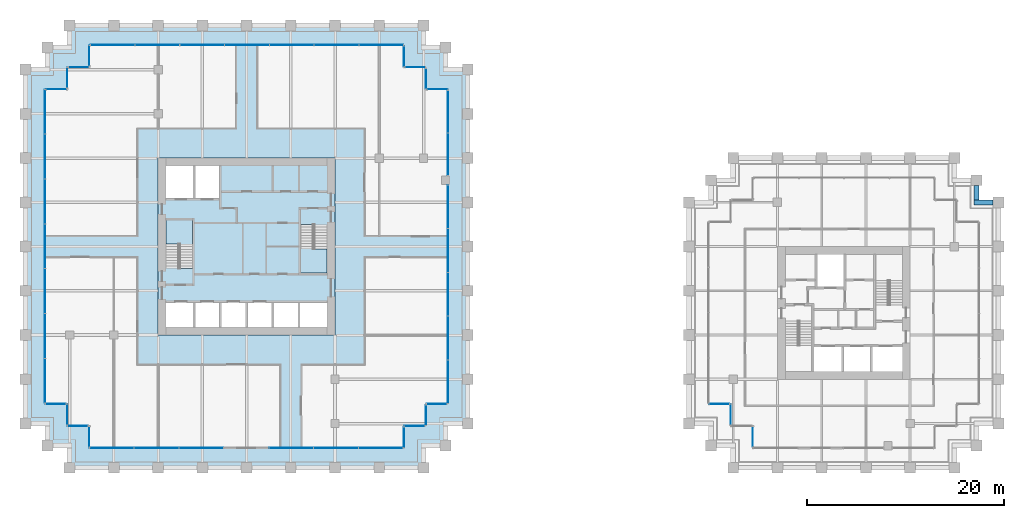
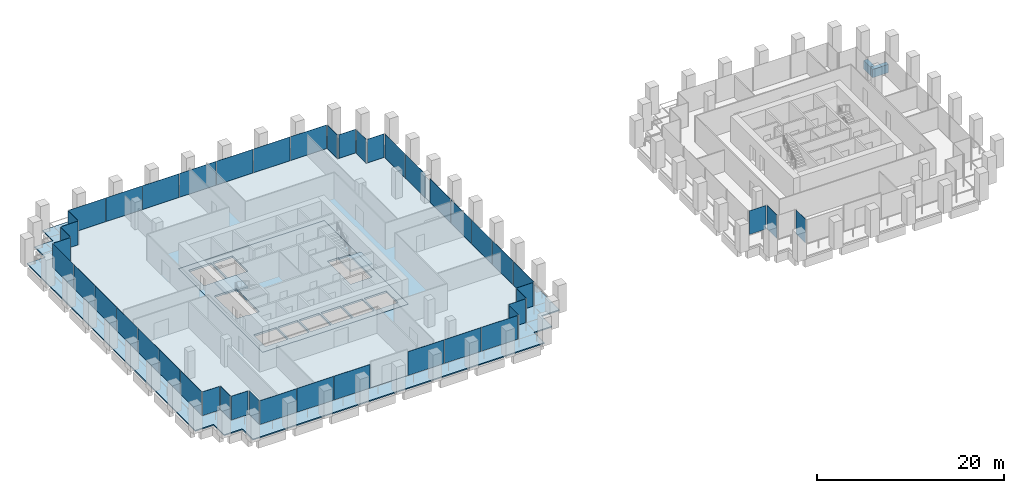
# One storey, part 48 of 54: 46 plates, 5 slabs, 2 beams, 27 elements without a shape of their own.
"""IFC4 building model written with IfcOpenShell, lengths in metres."""

from ifc_helpers import new_model, si_unit, direction, frame, origin, origin_2d, place, context, subcontext, project, spatial, polyline, rectangle, outline, extrude, material, layer, layer_set, material_profile, profile_set, type_object, element, aggregate, save


model = new_model("IFC4")

# Units and contexts
model_context = context("Model", 3, precision=1e-05, world=origin(), true_north=direction((0.0, 1.0)))
body_context = subcontext(model_context, "Body", "Model", "MODEL_VIEW")
ifc_project = project(units=[si_unit("LENGTHUNIT", "METRE"), si_unit("AREAUNIT", "SQUARE_METRE"), si_unit("VOLUMEUNIT", "CUBIC_METRE"), si_unit("PLANEANGLEUNIT", "RADIAN"), si_unit("MASSUNIT", "GRAM", prefix="KILO")], contexts=[model_context])

# Site, building, storey
site_placement = place(None, origin())
site = spatial("IfcSite", under=ifc_project, at=site_placement, CompositionType="ELEMENT")
building_placement = place(site_placement, origin())
building = spatial("IfcBuilding", under=site, at=building_placement, Name="Altepetl Exchange Towers", CompositionType="ELEMENT")
storey_placement = place(building_placement, frame((0.0, 0.0, 65.39990234375)))
storey = spatial("IfcBuildingStorey", under=building, at=storey_placement, Name="L15", CompositionType="ELEMENT", Elevation=65.39990234375)

# Beams
ifc_material_1 = material(Name="Concrete C50/60 precast with cantera amarilla facing", Category="concrete")
ifc_material_profile = material_profile(ifc_material_1, rectangle(XDim=0.5, YDim=1.10009765625, at=origin_2d()), Name="500 x 1100")
ifc_profile_set = profile_set([ifc_material_profile], Name="Concrete C50/60 precast with cantera amarilla facing")
beam_type = type_object("IfcBeamType", Name="Spandrel beam 500x1100 cantera amarilla", PredefinedType="SPANDREL", material=ifc_profile_set)
beam_1_placement = place(storey_placement, frame((125.449951171875, 54.0, -0.699951171875), z_axis=(-1.0, 0.0, 0.0), x_axis=(0.0, -1.0, 0.0)))
element("IfcBeam", 1, at=beam_1_placement, inside=storey, type_object=beam_type, Name="sp:B:L15:014", PredefinedType="SPANDREL", context=body_context, shape_type="SweptSolid", body=[
    extrude(rectangle(XDim=0.5, YDim=1.10009765625, at=origin_2d()), origin(), (0.0, 0.0, 1.0), 1.949951171875),
])
beam_2_placement = place(storey_placement, frame((123.75, 54.25, -0.699951171875), z_axis=(0.0, 1.0, 0.0), x_axis=(-1.0, 0.0, 0.0)))
element("IfcBeam", 2, at=beam_2_placement, inside=storey, type_object=beam_type, Name="sp:B:L15:015", PredefinedType="SPANDREL", context=body_context, shape_type="SweptSolid", body=[
    extrude(rectangle(XDim=0.5, YDim=1.10009765625, at=origin_2d()), origin(), (0.0, 0.0, 1.0), 1.449951171875),
])

# Slabs
ifc_material_2 = material(Name="Concrete C40/50", Category="concrete")
ifc_layer_1 = layer(ifc_material_2, 0.14990234375)
ifc_layer_set_1 = layer_set([ifc_layer_1], Name="Concrete C40/50")
slab_type_1 = type_object("IfcSlabType", Name="Composite floor slab 150", PredefinedType="FLOOR", material=ifc_layer_set_1)
slab_1_placement = place(storey_placement, frame((0.0, 0.0, -0.14990234375)))
element("IfcSlab", 3, at=slab_1_placement, inside=storey, type_object=slab_type_1, Name="slab:A:L15:strip0", PredefinedType="FLOOR", context=body_context, shape_type="SweptSolid", body=[
    extrude(outline(polyline([(31.25, 67.75), (31.25, 65.5), (29.0, 65.5), (29.0, 33.5), (31.25, 33.5), (31.25, 31.25), (33.5, 31.25), (33.5, 29.0), (65.5, 29.0), (65.5, 31.25), (67.75, 31.25), (67.75, 33.5), (70.0, 33.5), (70.0, 65.5), (67.75, 65.5), (67.75, 67.75), (65.5, 67.75), (65.5, 70.0), (33.5, 70.0), (33.5, 67.75), (31.25, 67.75)]), holes=[polyline([(58.5, 58.5), (58.5, 40.5), (40.5, 40.5), (40.5, 58.5), (58.5, 58.5)])]), origin(), (0.0, 0.0, 1.0), 0.14990234375),
])
ifc_layer_2 = layer(ifc_material_2, 0.25)
ifc_layer_set_2 = layer_set([ifc_layer_2], Name="Concrete C40/50")
slab_type_2 = type_object("IfcSlabType", Name="Core floor slab 250", PredefinedType="FLOOR", material=ifc_layer_set_2)
slab_2_placement = place(storey_placement, frame((0.0, 0.0, -0.25)))
element("IfcSlab", 4, at=slab_2_placement, inside=storey, type_object=slab_type_2, Name="slab:A:L15:core0", PredefinedType="FLOOR", context=body_context, shape_type="SweptSolid", body=[
    extrude(outline(polyline([(40.5, 40.5), (58.5, 40.5), (58.5, 58.5), (40.5, 58.5), (40.5, 40.5)]), holes=[polyline([(41.300048828125, 43.800048828125), (44.06689453125, 43.800048828125), (44.06689453125, 41.300048828125), (41.300048828125, 41.300048828125), (41.300048828125, 43.800048828125)]), polyline([(44.26708984375, 43.800048828125), (46.73291015625, 43.800048828125), (46.73291015625, 41.300048828125), (44.26708984375, 41.300048828125), (44.26708984375, 43.800048828125)]), polyline([(46.93310546875, 43.800048828125), (49.39990234375, 43.800048828125), (49.39990234375, 41.300048828125), (46.93310546875, 41.300048828125), (46.93310546875, 43.800048828125)]), polyline([(52.06689453125, 43.800048828125), (52.06689453125, 41.300048828125), (49.60009765625, 41.300048828125), (49.60009765625, 43.800048828125), (52.06689453125, 43.800048828125)]), polyline([(54.73291015625, 43.800048828125), (54.73291015625, 41.300048828125), (52.26708984375, 41.300048828125), (52.26708984375, 43.800048828125), (54.73291015625, 43.800048828125)]), polyline([(54.93310546875, 43.800048828125), (57.699951171875, 43.800048828125), (57.699951171875, 41.300048828125), (54.93310546875, 41.300048828125), (54.93310546875, 43.800048828125)]), polyline([(55.0, 51.7490234375), (56.39990234375, 51.7490234375), (56.39990234375, 51.64990234375), (57.699951171875, 51.64990234375), (57.699951171875, 46.800048828125), (55.0, 46.800048828125), (55.0, 51.7490234375)]), polyline([(44.0, 47.2509765625), (42.60009765625, 47.2509765625), (42.60009765625, 47.35009765625), (41.300048828125, 47.35009765625), (41.300048828125, 52.199951171875), (44.0, 52.199951171875), (44.0, 47.2509765625)]), polyline([(44.06689453125, 57.699951171875), (44.06689453125, 54.39990234375), (41.300048828125, 54.39990234375), (41.300048828125, 57.699951171875), (44.06689453125, 57.699951171875)]), polyline([(46.73291015625, 57.699951171875), (46.73291015625, 54.39990234375), (44.26708984375, 54.39990234375), (44.26708984375, 57.699951171875), (46.73291015625, 57.699951171875)])]), origin(), (0.0, 0.0, 1.0), 0.25),
])

# Curtain wall, plate
ifc_material_3 = material(Name="Aluminium 6063-T6 glazing", Category="aluminium")
curtain_wall_type = type_object("IfcCurtainWallType", Name="Loggia glazing system", PredefinedType="NOTDEFINED", material=ifc_material_3)
curtain_wall_1_placement = place(storey_placement, origin())
curtain_wall_1 = element("IfcCurtainWall", 5, at=curtain_wall_1_placement, inside=storey, type_object=curtain_wall_type, Name="CW1 run", PredefinedType="NOTDEFINED")
ifc_material_4 = material(Name="Glass 6-16-6 low emissivity", Category="glass")
ifc_layer_3 = layer(ifc_material_4, 0.028076171875)
ifc_layer_set_3 = layer_set([ifc_layer_3], Name="Glass 6-16-6 low emissivity")
plate_type = type_object("IfcPlateType", Name="Glass panel 28 double glazed", PredefinedType="CURTAIN_PANEL", material=ifc_layer_set_3)
plate_1_placement = place(storey_placement, frame((30.16259765625, 65.5, 0.0), z_axis=(0.0, 0.0, 1.0), x_axis=(-1.0, 0.0, 0.0)))
plate_1 = element("IfcPlate", 6, at=plate_1_placement, type_object=plate_type, Name="GP1 panel", PredefinedType="CURTAIN_PANEL", context=body_context, shape_type="SweptSolid", body=[
    extrude(rectangle(XDim=2.054931640625, YDim=0.028076171875, at=origin_2d()), origin(), (0.0, 0.0, 1.0), 3.10009765625),
])
aggregate(curtain_wall_1, [plate_1])

# Curtain wall, plates
curtain_wall_2_placement = place(storey_placement, origin())
curtain_wall_2 = element("IfcCurtainWall", 7, at=curtain_wall_2_placement, inside=storey, type_object=curtain_wall_type, Name="CW1 run", PredefinedType="NOTDEFINED")
plate_2_placement = place(storey_placement, frame((29.0, 63.20458984375, 0.0), z_axis=(0.0, 0.0, 1.0), x_axis=(0.0, -1.0, 0.0)))
plate_2 = element("IfcPlate", 8, at=plate_2_placement, type_object=plate_type, Name="GP1 panel", PredefinedType="CURTAIN_PANEL", context=body_context, shape_type="SweptSolid", body=[
    extrude(rectangle(XDim=4.470703125, YDim=0.028076171875, at=origin_2d()), origin(), (0.0, 0.0, 1.0), 3.10009765625),
])
plate_3_placement = place(storey_placement, frame((29.0, 58.658935546875, 0.0), z_axis=(0.0, 0.0, 1.0), x_axis=(0.0, -1.0, 0.0)))
plate_3 = element("IfcPlate", 9, at=plate_3_placement, type_object=plate_type, Name="GP1 panel", PredefinedType="CURTAIN_PANEL", context=body_context, shape_type="SweptSolid", body=[
    extrude(rectangle(XDim=4.500732421875, YDim=0.028076171875, at=origin_2d()), origin(), (0.0, 0.0, 1.0), 3.10009765625),
])
plate_4_placement = place(storey_placement, frame((29.0, 54.09814453125, 0.0), z_axis=(0.0, 0.0, 1.0), x_axis=(0.0, -1.0, 0.0)))
plate_4 = element("IfcPlate", 10, at=plate_4_placement, type_object=plate_type, Name="GP1 panel", PredefinedType="CURTAIN_PANEL", context=body_context, shape_type="SweptSolid", body=[
    extrude(rectangle(XDim=4.500732421875, YDim=0.028076171875, at=origin_2d()), origin(), (0.0, 0.0, 1.0), 3.10009765625),
])
plate_5_placement = place(storey_placement, frame((29.0, 49.53759765625, 0.0), z_axis=(0.0, 0.0, 1.0), x_axis=(0.0, -1.0, 0.0)))
plate_5 = element("IfcPlate", 11, at=plate_5_placement, type_object=plate_type, Name="GP1 panel", PredefinedType="CURTAIN_PANEL", context=body_context, shape_type="SweptSolid", body=[
    extrude(rectangle(XDim=4.500732421875, YDim=0.028076171875, at=origin_2d()), origin(), (0.0, 0.0, 1.0), 3.10009765625),
])
plate_6_placement = place(storey_placement, frame((29.0, 44.976806640625, 0.0), z_axis=(0.0, 0.0, 1.0), x_axis=(0.0, -1.0, 0.0)))
plate_6 = element("IfcPlate", 12, at=plate_6_placement, type_object=plate_type, Name="GP1 panel", PredefinedType="CURTAIN_PANEL", context=body_context, shape_type="SweptSolid", body=[
    extrude(rectangle(XDim=4.500732421875, YDim=0.028076171875, at=origin_2d()), origin(), (0.0, 0.0, 1.0), 3.10009765625),
])
plate_7_placement = place(storey_placement, frame((29.0, 40.416015625, 0.0), z_axis=(0.0, 0.0, 1.0), x_axis=(0.0, -1.0, 0.0)))
plate_7 = element("IfcPlate", 13, at=plate_7_placement, type_object=plate_type, Name="GP1 panel", PredefinedType="CURTAIN_PANEL", context=body_context, shape_type="SweptSolid", body=[
    extrude(rectangle(XDim=4.500732421875, YDim=0.028076171875, at=origin_2d()), origin(), (0.0, 0.0, 1.0), 3.10009765625),
])
plate_8_placement = place(storey_placement, frame((29.0, 35.870361328125, 0.0), z_axis=(0.0, 0.0, 1.0), x_axis=(0.0, -1.0, 0.0)))
plate_8 = element("IfcPlate", 14, at=plate_8_placement, type_object=plate_type, Name="GP1 panel", PredefinedType="CURTAIN_PANEL", context=body_context, shape_type="SweptSolid", body=[
    extrude(rectangle(XDim=4.470703125, YDim=0.028076171875, at=origin_2d()), origin(), (0.0, 0.0, 1.0), 3.10009765625),
])
aggregate(curtain_wall_2, [plate_2, plate_3, plate_4, plate_5, plate_6, plate_7, plate_8])

# Curtain wall, plate
curtain_wall_3_placement = place(storey_placement, origin())
curtain_wall_3 = element("IfcCurtainWall", 15, at=curtain_wall_3_placement, inside=storey, type_object=curtain_wall_type, Name="CW1 run", PredefinedType="NOTDEFINED")
plate_9_placement = place(storey_placement, frame((30.08740234375, 33.5, 0.0)))
plate_9 = element("IfcPlate", 16, at=plate_9_placement, type_object=plate_type, Name="GP1 panel", PredefinedType="CURTAIN_PANEL", context=body_context, shape_type="SweptSolid", body=[
    extrude(rectangle(XDim=2.054931640625, YDim=0.028076171875, at=origin_2d()), origin(), (0.0, 0.0, 1.0), 3.10009765625),
])
aggregate(curtain_wall_3, [plate_9])

curtain_wall_4_placement = place(storey_placement, origin())
curtain_wall_4 = element("IfcCurtainWall", 17, at=curtain_wall_4_placement, inside=storey, type_object=curtain_wall_type, Name="CW1 run", PredefinedType="NOTDEFINED")
plate_10_placement = place(storey_placement, frame((31.25, 32.41259765625, 0.0), z_axis=(0.0, 0.0, 1.0), x_axis=(0.0, -1.0, 0.0)))
plate_10 = element("IfcPlate", 18, at=plate_10_placement, type_object=plate_type, Name="GP1 panel", PredefinedType="CURTAIN_PANEL", context=body_context, shape_type="SweptSolid", body=[
    extrude(rectangle(XDim=2.054931640625, YDim=0.028076171875, at=origin_2d()), origin(), (0.0, 0.0, 1.0), 3.10009765625),
])
aggregate(curtain_wall_4, [plate_10])

curtain_wall_5_placement = place(storey_placement, origin())
curtain_wall_5 = element("IfcCurtainWall", 19, at=curtain_wall_5_placement, inside=storey, type_object=curtain_wall_type, Name="CW1 run", PredefinedType="NOTDEFINED")
plate_11_placement = place(storey_placement, frame((32.33740234375, 31.25, 0.0)))
plate_11 = element("IfcPlate", 20, at=plate_11_placement, type_object=plate_type, Name="GP1 panel", PredefinedType="CURTAIN_PANEL", context=body_context, shape_type="SweptSolid", body=[
    extrude(rectangle(XDim=2.054931640625, YDim=0.028076171875, at=origin_2d()), origin(), (0.0, 0.0, 1.0), 3.10009765625),
])
aggregate(curtain_wall_5, [plate_11])

curtain_wall_6_placement = place(storey_placement, origin())
curtain_wall_6 = element("IfcCurtainWall", 21, at=curtain_wall_6_placement, inside=storey, type_object=curtain_wall_type, Name="CW1 run", PredefinedType="NOTDEFINED")
plate_12_placement = place(storey_placement, frame((33.5, 30.16259765625, 0.0), z_axis=(0.0, 0.0, 1.0), x_axis=(0.0, -1.0, 0.0)))
plate_12 = element("IfcPlate", 22, at=plate_12_placement, type_object=plate_type, Name="GP1 panel", PredefinedType="CURTAIN_PANEL", context=body_context, shape_type="SweptSolid", body=[
    extrude(rectangle(XDim=2.054931640625, YDim=0.028076171875, at=origin_2d()), origin(), (0.0, 0.0, 1.0), 3.10009765625),
])
aggregate(curtain_wall_6, [plate_12])

# Curtain wall, plates
curtain_wall_7_placement = place(storey_placement, origin())
curtain_wall_7 = element("IfcCurtainWall", 23, at=curtain_wall_7_placement, inside=storey, type_object=curtain_wall_type, Name="CW1 run", PredefinedType="NOTDEFINED")
plate_13_placement = place(storey_placement, frame((35.79541015625, 29.0, 0.0)))
plate_13 = element("IfcPlate", 24, at=plate_13_placement, type_object=plate_type, Name="GP1 panel", PredefinedType="CURTAIN_PANEL", context=body_context, shape_type="SweptSolid", body=[
    extrude(rectangle(XDim=4.470703125, YDim=0.028076171875, at=origin_2d()), origin(), (0.0, 0.0, 1.0), 3.10009765625),
])
plate_14_placement = place(storey_placement, frame((40.341064453125, 29.0, 0.0)))
plate_14 = element("IfcPlate", 25, at=plate_14_placement, type_object=plate_type, Name="GP1 panel", PredefinedType="CURTAIN_PANEL", context=body_context, shape_type="SweptSolid", body=[
    extrude(rectangle(XDim=4.500732421875, YDim=0.028076171875, at=origin_2d()), origin(), (0.0, 0.0, 1.0), 3.10009765625),
])
plate_15_placement = place(storey_placement, frame((44.88671875, 29.0, 0.0)))
plate_15 = element("IfcPlate", 26, at=plate_15_placement, type_object=plate_type, Name="GP1 panel", PredefinedType="CURTAIN_PANEL", context=body_context, shape_type="SweptSolid", body=[
    extrude(rectangle(XDim=4.470703125, YDim=0.028076171875, at=origin_2d()), origin(), (0.0, 0.0, 1.0), 3.10009765625),
])
aggregate(curtain_wall_7, [plate_13, plate_14, plate_15])

curtain_wall_8_placement = place(storey_placement, origin())
curtain_wall_8 = element("IfcCurtainWall", 27, at=curtain_wall_8_placement, inside=storey, type_object=curtain_wall_type, Name="CW1 run", PredefinedType="NOTDEFINED")
plate_16_placement = place(storey_placement, frame((54.038330078125, 29.0, 0.0)))
plate_16 = element("IfcPlate", 28, at=plate_16_placement, type_object=plate_type, Name="GP1 panel", PredefinedType="CURTAIN_PANEL", context=body_context, shape_type="SweptSolid", body=[
    extrude(rectangle(XDim=4.470703125, YDim=0.028076171875, at=origin_2d()), origin(), (0.0, 0.0, 1.0), 3.10009765625),
])
plate_17_placement = place(storey_placement, frame((58.583984375, 29.0, 0.0)))
plate_17 = element("IfcPlate", 29, at=plate_17_placement, type_object=plate_type, Name="GP1 panel", PredefinedType="CURTAIN_PANEL", context=body_context, shape_type="SweptSolid", body=[
    extrude(rectangle(XDim=4.500732421875, YDim=0.028076171875, at=origin_2d()), origin(), (0.0, 0.0, 1.0), 3.10009765625),
])
plate_18_placement = place(storey_placement, frame((63.129638671875, 29.0, 0.0)))
plate_18 = element("IfcPlate", 30, at=plate_18_placement, type_object=plate_type, Name="GP1 panel", PredefinedType="CURTAIN_PANEL", context=body_context, shape_type="SweptSolid", body=[
    extrude(rectangle(XDim=4.470703125, YDim=0.028076171875, at=origin_2d()), origin(), (0.0, 0.0, 1.0), 3.10009765625),
])
aggregate(curtain_wall_8, [plate_16, plate_17, plate_18])

# Curtain wall, plate
curtain_wall_9_placement = place(storey_placement, origin())
curtain_wall_9 = element("IfcCurtainWall", 31, at=curtain_wall_9_placement, inside=storey, type_object=curtain_wall_type, Name="CW1 run", PredefinedType="NOTDEFINED")
plate_19_placement = place(storey_placement, frame((65.5, 30.08740234375, 0.0), z_axis=(0.0, 0.0, 1.0), x_axis=(0.0, 1.0, 0.0)))
plate_19 = element("IfcPlate", 32, at=plate_19_placement, type_object=plate_type, Name="GP1 panel", PredefinedType="CURTAIN_PANEL", context=body_context, shape_type="SweptSolid", body=[
    extrude(rectangle(XDim=2.054931640625, YDim=0.028076171875, at=origin_2d()), origin(), (0.0, 0.0, 1.0), 3.10009765625),
])
aggregate(curtain_wall_9, [plate_19])

curtain_wall_10_placement = place(storey_placement, origin())
curtain_wall_10 = element("IfcCurtainWall", 33, at=curtain_wall_10_placement, inside=storey, type_object=curtain_wall_type, Name="CW1 run", PredefinedType="NOTDEFINED")
plate_20_placement = place(storey_placement, frame((66.58740234375, 31.25, 0.0)))
plate_20 = element("IfcPlate", 34, at=plate_20_placement, type_object=plate_type, Name="GP1 panel", PredefinedType="CURTAIN_PANEL", context=body_context, shape_type="SweptSolid", body=[
    extrude(rectangle(XDim=2.054931640625, YDim=0.028076171875, at=origin_2d()), origin(), (0.0, 0.0, 1.0), 3.10009765625),
])
aggregate(curtain_wall_10, [plate_20])

curtain_wall_11_placement = place(storey_placement, origin())
curtain_wall_11 = element("IfcCurtainWall", 35, at=curtain_wall_11_placement, inside=storey, type_object=curtain_wall_type, Name="CW1 run", PredefinedType="NOTDEFINED")
plate_21_placement = place(storey_placement, frame((67.75, 32.33740234375, 0.0), z_axis=(0.0, 0.0, 1.0), x_axis=(0.0, 1.0, 0.0)))
plate_21 = element("IfcPlate", 36, at=plate_21_placement, type_object=plate_type, Name="GP1 panel", PredefinedType="CURTAIN_PANEL", context=body_context, shape_type="SweptSolid", body=[
    extrude(rectangle(XDim=2.054931640625, YDim=0.028076171875, at=origin_2d()), origin(), (0.0, 0.0, 1.0), 3.10009765625),
])
aggregate(curtain_wall_11, [plate_21])

curtain_wall_12_placement = place(storey_placement, origin())
curtain_wall_12 = element("IfcCurtainWall", 37, at=curtain_wall_12_placement, inside=storey, type_object=curtain_wall_type, Name="CW1 run", PredefinedType="NOTDEFINED")
plate_22_placement = place(storey_placement, frame((68.83740234375, 33.5, 0.0)))
plate_22 = element("IfcPlate", 38, at=plate_22_placement, type_object=plate_type, Name="GP1 panel", PredefinedType="CURTAIN_PANEL", context=body_context, shape_type="SweptSolid", body=[
    extrude(rectangle(XDim=2.054931640625, YDim=0.028076171875, at=origin_2d()), origin(), (0.0, 0.0, 1.0), 3.10009765625),
])
aggregate(curtain_wall_12, [plate_22])

# Curtain wall, plates
curtain_wall_13_placement = place(storey_placement, origin())
curtain_wall_13 = element("IfcCurtainWall", 39, at=curtain_wall_13_placement, inside=storey, type_object=curtain_wall_type, Name="CW1 run", PredefinedType="NOTDEFINED")
plate_23_placement = place(storey_placement, frame((70.0, 35.74560546875, 0.0), z_axis=(0.0, 0.0, 1.0), x_axis=(0.0, 1.0, 0.0)))
plate_23 = element("IfcPlate", 40, at=plate_23_placement, type_object=plate_type, Name="GP1 panel", PredefinedType="CURTAIN_PANEL", context=body_context, shape_type="SweptSolid", body=[
    extrude(rectangle(XDim=4.37109375, YDim=0.028076171875, at=origin_2d()), origin(), (0.0, 0.0, 1.0), 3.10009765625),
])
plate_24_placement = place(storey_placement, frame((70.0, 40.19140625, 0.0), z_axis=(0.0, 0.0, 1.0), x_axis=(0.0, 1.0, 0.0)))
plate_24 = element("IfcPlate", 41, at=plate_24_placement, type_object=plate_type, Name="GP1 panel", PredefinedType="CURTAIN_PANEL", context=body_context, shape_type="SweptSolid", body=[
    extrude(rectangle(XDim=4.40087890625, YDim=0.028076171875, at=origin_2d()), origin(), (0.0, 0.0, 1.0), 3.10009765625),
])
plate_25_placement = place(storey_placement, frame((70.0, 44.652587890625, 0.0), z_axis=(0.0, 0.0, 1.0), x_axis=(0.0, 1.0, 0.0)))
plate_25 = element("IfcPlate", 42, at=plate_25_placement, type_object=plate_type, Name="GP1 panel", PredefinedType="CURTAIN_PANEL", context=body_context, shape_type="SweptSolid", body=[
    extrude(rectangle(XDim=4.40087890625, YDim=0.028076171875, at=origin_2d()), origin(), (0.0, 0.0, 1.0), 3.10009765625),
])
plate_26_placement = place(storey_placement, frame((70.0, 49.113525390625, 0.0), z_axis=(0.0, 0.0, 1.0), x_axis=(0.0, 1.0, 0.0)))
plate_26 = element("IfcPlate", 43, at=plate_26_placement, type_object=plate_type, Name="GP1 panel", PredefinedType="CURTAIN_PANEL", context=body_context, shape_type="SweptSolid", body=[
    extrude(rectangle(XDim=4.40087890625, YDim=0.028076171875, at=origin_2d()), origin(), (0.0, 0.0, 1.0), 3.10009765625),
])
plate_27_placement = place(storey_placement, frame((70.0, 53.5595703125, 0.0), z_axis=(0.0, 0.0, 1.0), x_axis=(0.0, 1.0, 0.0)))
plate_27 = element("IfcPlate", 44, at=plate_27_placement, type_object=plate_type, Name="GP1 panel", PredefinedType="CURTAIN_PANEL", context=body_context, shape_type="SweptSolid", body=[
    extrude(rectangle(XDim=4.37109375, YDim=0.028076171875, at=origin_2d()), origin(), (0.0, 0.0, 1.0), 3.10009765625),
])
aggregate(curtain_wall_13, [plate_23, plate_24, plate_25, plate_26, plate_27])

curtain_wall_14_placement = place(storey_placement, origin())
curtain_wall_14 = element("IfcCurtainWall", 45, at=curtain_wall_14_placement, inside=storey, type_object=curtain_wall_type, Name="CW1 run", PredefinedType="NOTDEFINED")
plate_28_placement = place(storey_placement, frame((70.0, 58.892578125, 0.0), z_axis=(0.0, 0.0, 1.0), x_axis=(0.0, 1.0, 0.0)))
plate_28 = element("IfcPlate", 46, at=plate_28_placement, type_object=plate_type, Name="GP1 panel", PredefinedType="CURTAIN_PANEL", context=body_context, shape_type="SweptSolid", body=[
    extrude(rectangle(XDim=4.27490234375, YDim=0.028076171875, at=origin_2d()), origin(), (0.0, 0.0, 1.0), 3.10009765625),
])
plate_29_placement = place(storey_placement, frame((70.0, 63.2275390625, 0.0), z_axis=(0.0, 0.0, 1.0), x_axis=(0.0, 1.0, 0.0)))
plate_29 = element("IfcPlate", 47, at=plate_29_placement, type_object=plate_type, Name="GP1 panel", PredefinedType="CURTAIN_PANEL", context=body_context, shape_type="SweptSolid", body=[
    extrude(rectangle(XDim=4.27490234375, YDim=0.028076171875, at=origin_2d()), origin(), (0.0, 0.0, 1.0), 3.10009765625),
])
aggregate(curtain_wall_14, [plate_28, plate_29])

# Curtain wall, plate
curtain_wall_15_placement = place(storey_placement, origin())
curtain_wall_15 = element("IfcCurtainWall", 48, at=curtain_wall_15_placement, inside=storey, type_object=curtain_wall_type, Name="CW1 run", PredefinedType="NOTDEFINED")
plate_30_placement = place(storey_placement, frame((68.91259765625, 65.5, 0.0), z_axis=(0.0, 0.0, 1.0), x_axis=(-1.0, 0.0, 0.0)))
plate_30 = element("IfcPlate", 49, at=plate_30_placement, type_object=plate_type, Name="GP1 panel", PredefinedType="CURTAIN_PANEL", context=body_context, shape_type="SweptSolid", body=[
    extrude(rectangle(XDim=2.054931640625, YDim=0.028076171875, at=origin_2d()), origin(), (0.0, 0.0, 1.0), 3.10009765625),
])
aggregate(curtain_wall_15, [plate_30])

curtain_wall_16_placement = place(storey_placement, origin())
curtain_wall_16 = element("IfcCurtainWall", 50, at=curtain_wall_16_placement, inside=storey, type_object=curtain_wall_type, Name="CW1 run", PredefinedType="NOTDEFINED")
plate_31_placement = place(storey_placement, frame((67.75, 66.58740234375, 0.0), z_axis=(0.0, 0.0, 1.0), x_axis=(0.0, 1.0, 0.0)))
plate_31 = element("IfcPlate", 51, at=plate_31_placement, type_object=plate_type, Name="GP1 panel", PredefinedType="CURTAIN_PANEL", context=body_context, shape_type="SweptSolid", body=[
    extrude(rectangle(XDim=2.054931640625, YDim=0.028076171875, at=origin_2d()), origin(), (0.0, 0.0, 1.0), 3.10009765625),
])
aggregate(curtain_wall_16, [plate_31])

curtain_wall_17_placement = place(storey_placement, origin())
curtain_wall_17 = element("IfcCurtainWall", 52, at=curtain_wall_17_placement, inside=storey, type_object=curtain_wall_type, Name="CW1 run", PredefinedType="NOTDEFINED")
plate_32_placement = place(storey_placement, frame((66.66259765625, 67.75, 0.0), z_axis=(0.0, 0.0, 1.0), x_axis=(-1.0, 0.0, 0.0)))
plate_32 = element("IfcPlate", 53, at=plate_32_placement, type_object=plate_type, Name="GP1 panel", PredefinedType="CURTAIN_PANEL", context=body_context, shape_type="SweptSolid", body=[
    extrude(rectangle(XDim=2.054931640625, YDim=0.028076171875, at=origin_2d()), origin(), (0.0, 0.0, 1.0), 3.10009765625),
])
aggregate(curtain_wall_17, [plate_32])

curtain_wall_18_placement = place(storey_placement, origin())
curtain_wall_18 = element("IfcCurtainWall", 54, at=curtain_wall_18_placement, inside=storey, type_object=curtain_wall_type, Name="CW1 run", PredefinedType="NOTDEFINED")
plate_33_placement = place(storey_placement, frame((65.5, 68.83740234375, 0.0), z_axis=(0.0, 0.0, 1.0), x_axis=(0.0, 1.0, 0.0)))
plate_33 = element("IfcPlate", 55, at=plate_33_placement, type_object=plate_type, Name="GP1 panel", PredefinedType="CURTAIN_PANEL", context=body_context, shape_type="SweptSolid", body=[
    extrude(rectangle(XDim=2.054931640625, YDim=0.028076171875, at=origin_2d()), origin(), (0.0, 0.0, 1.0), 3.10009765625),
])
aggregate(curtain_wall_18, [plate_33])

# Curtain wall, plates
curtain_wall_19_placement = place(storey_placement, origin())
curtain_wall_19 = element("IfcCurtainWall", 56, at=curtain_wall_19_placement, inside=storey, type_object=curtain_wall_type, Name="CW1 run", PredefinedType="NOTDEFINED")
plate_34_placement = place(storey_placement, frame((63.20458984375, 70.0, 0.0), z_axis=(0.0, 0.0, 1.0), x_axis=(-1.0, 0.0, 0.0)))
plate_34 = element("IfcPlate", 57, at=plate_34_placement, type_object=plate_type, Name="GP1 panel", PredefinedType="CURTAIN_PANEL", context=body_context, shape_type="SweptSolid", body=[
    extrude(rectangle(XDim=4.470703125, YDim=0.028076171875, at=origin_2d()), origin(), (0.0, 0.0, 1.0), 3.10009765625),
])
plate_35_placement = place(storey_placement, frame((58.658935546875, 70.0, 0.0), z_axis=(0.0, 0.0, 1.0), x_axis=(-1.0, 0.0, 0.0)))
plate_35 = element("IfcPlate", 58, at=plate_35_placement, type_object=plate_type, Name="GP1 panel", PredefinedType="CURTAIN_PANEL", context=body_context, shape_type="SweptSolid", body=[
    extrude(rectangle(XDim=4.500732421875, YDim=0.028076171875, at=origin_2d()), origin(), (0.0, 0.0, 1.0), 3.10009765625),
])
plate_36_placement = place(storey_placement, frame((54.09814453125, 70.0, 0.0), z_axis=(0.0, 0.0, 1.0), x_axis=(-1.0, 0.0, 0.0)))
plate_36 = element("IfcPlate", 59, at=plate_36_placement, type_object=plate_type, Name="GP1 panel", PredefinedType="CURTAIN_PANEL", context=body_context, shape_type="SweptSolid", body=[
    extrude(rectangle(XDim=4.500732421875, YDim=0.028076171875, at=origin_2d()), origin(), (0.0, 0.0, 1.0), 3.10009765625),
])
plate_37_placement = place(storey_placement, frame((49.53759765625, 70.0, 0.0), z_axis=(0.0, 0.0, 1.0), x_axis=(-1.0, 0.0, 0.0)))
plate_37 = element("IfcPlate", 60, at=plate_37_placement, type_object=plate_type, Name="GP1 panel", PredefinedType="CURTAIN_PANEL", context=body_context, shape_type="SweptSolid", body=[
    extrude(rectangle(XDim=4.500732421875, YDim=0.028076171875, at=origin_2d()), origin(), (0.0, 0.0, 1.0), 3.10009765625),
])
plate_38_placement = place(storey_placement, frame((44.976806640625, 70.0, 0.0), z_axis=(0.0, 0.0, 1.0), x_axis=(-1.0, 0.0, 0.0)))
plate_38 = element("IfcPlate", 61, at=plate_38_placement, type_object=plate_type, Name="GP1 panel", PredefinedType="CURTAIN_PANEL", context=body_context, shape_type="SweptSolid", body=[
    extrude(rectangle(XDim=4.500732421875, YDim=0.028076171875, at=origin_2d()), origin(), (0.0, 0.0, 1.0), 3.10009765625),
])
plate_39_placement = place(storey_placement, frame((40.416015625, 70.0, 0.0), z_axis=(0.0, 0.0, 1.0), x_axis=(-1.0, 0.0, 0.0)))
plate_39 = element("IfcPlate", 62, at=plate_39_placement, type_object=plate_type, Name="GP1 panel", PredefinedType="CURTAIN_PANEL", context=body_context, shape_type="SweptSolid", body=[
    extrude(rectangle(XDim=4.500732421875, YDim=0.028076171875, at=origin_2d()), origin(), (0.0, 0.0, 1.0), 3.10009765625),
])
plate_40_placement = place(storey_placement, frame((35.870361328125, 70.0, 0.0), z_axis=(0.0, 0.0, 1.0), x_axis=(-1.0, 0.0, 0.0)))
plate_40 = element("IfcPlate", 63, at=plate_40_placement, type_object=plate_type, Name="GP1 panel", PredefinedType="CURTAIN_PANEL", context=body_context, shape_type="SweptSolid", body=[
    extrude(rectangle(XDim=4.470703125, YDim=0.028076171875, at=origin_2d()), origin(), (0.0, 0.0, 1.0), 3.10009765625),
])
aggregate(curtain_wall_19, [plate_34, plate_35, plate_36, plate_37, plate_38, plate_39, plate_40])

# Curtain wall, plate
curtain_wall_20_placement = place(storey_placement, origin())
curtain_wall_20 = element("IfcCurtainWall", 64, at=curtain_wall_20_placement, inside=storey, type_object=curtain_wall_type, Name="CW1 run", PredefinedType="NOTDEFINED")
plate_41_placement = place(storey_placement, frame((33.5, 68.91259765625, 0.0), z_axis=(0.0, 0.0, 1.0), x_axis=(0.0, -1.0, 0.0)))
plate_41 = element("IfcPlate", 65, at=plate_41_placement, type_object=plate_type, Name="GP1 panel", PredefinedType="CURTAIN_PANEL", context=body_context, shape_type="SweptSolid", body=[
    extrude(rectangle(XDim=2.054931640625, YDim=0.028076171875, at=origin_2d()), origin(), (0.0, 0.0, 1.0), 3.10009765625),
])
aggregate(curtain_wall_20, [plate_41])

curtain_wall_21_placement = place(storey_placement, origin())
curtain_wall_21 = element("IfcCurtainWall", 66, at=curtain_wall_21_placement, inside=storey, type_object=curtain_wall_type, Name="CW1 run", PredefinedType="NOTDEFINED")
plate_42_placement = place(storey_placement, frame((32.41259765625, 67.75, 0.0), z_axis=(0.0, 0.0, 1.0), x_axis=(-1.0, 0.0, 0.0)))
plate_42 = element("IfcPlate", 67, at=plate_42_placement, type_object=plate_type, Name="GP1 panel", PredefinedType="CURTAIN_PANEL", context=body_context, shape_type="SweptSolid", body=[
    extrude(rectangle(XDim=2.054931640625, YDim=0.028076171875, at=origin_2d()), origin(), (0.0, 0.0, 1.0), 3.10009765625),
])
aggregate(curtain_wall_21, [plate_42])

curtain_wall_22_placement = place(storey_placement, origin())
curtain_wall_22 = element("IfcCurtainWall", 68, at=curtain_wall_22_placement, inside=storey, type_object=curtain_wall_type, Name="CW1 run", PredefinedType="NOTDEFINED")
plate_43_placement = place(storey_placement, frame((31.25, 66.66259765625, 0.0), z_axis=(0.0, 0.0, 1.0), x_axis=(0.0, -1.0, 0.0)))
plate_43 = element("IfcPlate", 69, at=plate_43_placement, type_object=plate_type, Name="GP1 panel", PredefinedType="CURTAIN_PANEL", context=body_context, shape_type="SweptSolid", body=[
    extrude(rectangle(XDim=2.054931640625, YDim=0.028076171875, at=origin_2d()), origin(), (0.0, 0.0, 1.0), 3.10009765625),
])
aggregate(curtain_wall_22, [plate_43])

curtain_wall_23_placement = place(storey_placement, origin())
curtain_wall_23 = element("IfcCurtainWall", 70, at=curtain_wall_23_placement, inside=storey, type_object=curtain_wall_type, Name="CW1 run", PredefinedType="NOTDEFINED")
plate_44_placement = place(storey_placement, frame((97.58740234375, 33.5, 0.0)))
plate_44 = element("IfcPlate", 71, at=plate_44_placement, type_object=plate_type, Name="GP1 panel", PredefinedType="CURTAIN_PANEL", context=body_context, shape_type="SweptSolid", body=[
    extrude(rectangle(XDim=2.054931640625, YDim=0.028076171875, at=origin_2d()), origin(), (0.0, 0.0, 1.0), 3.10009765625),
])
aggregate(curtain_wall_23, [plate_44])

curtain_wall_24_placement = place(storey_placement, origin())
curtain_wall_24 = element("IfcCurtainWall", 72, at=curtain_wall_24_placement, inside=storey, type_object=curtain_wall_type, Name="CW1 run", PredefinedType="NOTDEFINED")
plate_45_placement = place(storey_placement, frame((98.75, 32.41259765625, 0.0), z_axis=(0.0, 0.0, 1.0), x_axis=(0.0, -1.0, 0.0)))
plate_45 = element("IfcPlate", 73, at=plate_45_placement, type_object=plate_type, Name="GP1 panel", PredefinedType="CURTAIN_PANEL", context=body_context, shape_type="SweptSolid", body=[
    extrude(rectangle(XDim=2.054931640625, YDim=0.028076171875, at=origin_2d()), origin(), (0.0, 0.0, 1.0), 3.10009765625),
])
aggregate(curtain_wall_24, [plate_45])

curtain_wall_25_placement = place(storey_placement, origin())
curtain_wall_25 = element("IfcCurtainWall", 74, at=curtain_wall_25_placement, inside=storey, type_object=curtain_wall_type, Name="CW1 run", PredefinedType="NOTDEFINED")
plate_46_placement = place(storey_placement, frame((101.0, 30.16259765625, 0.0), z_axis=(0.0, 0.0, 1.0), x_axis=(0.0, -1.0, 0.0)))
plate_46 = element("IfcPlate", 75, at=plate_46_placement, type_object=plate_type, Name="GP1 panel", PredefinedType="CURTAIN_PANEL", context=body_context, shape_type="SweptSolid", body=[
    extrude(rectangle(XDim=2.054931640625, YDim=0.028076171875, at=origin_2d()), origin(), (0.0, 0.0, 1.0), 3.10009765625),
])
aggregate(curtain_wall_25, [plate_46])

# Slab
ifc_layer_4 = layer(ifc_material_2, 0.14990234375)
ifc_layer_set_4 = layer_set([ifc_layer_4], Name="Concrete C40/50")
slab_type_3 = type_object("IfcSlabType", Name="Loggia slab 150", PredefinedType="FLOOR", material=ifc_layer_set_4)
slab_3_placement = place(storey_placement, frame((0.0, 0.0, -0.14990234375)))
element("IfcSlab", 76, at=slab_3_placement, inside=storey, type_object=slab_type_3, Name="slab:A:L15:loggia0", PredefinedType="FLOOR", context=body_context, shape_type="SweptSolid", body=[
    extrude(outline(polyline([(29.25, 67.5), (27.0, 67.5), (27.0, 40.5), (27.0, 31.5), (29.25, 31.5), (29.25, 29.25), (31.5, 29.25), (31.5, 27.0), (58.5, 27.0), (67.5, 27.0), (67.5, 29.25), (69.75, 29.25), (69.75, 31.5), (72.0, 31.5), (72.0, 58.5), (72.0, 67.5), (69.75, 67.5), (69.75, 69.75), (67.5, 69.75), (67.5, 72.0), (40.5, 72.0), (31.5, 72.0), (31.5, 69.75), (29.25, 69.75), (29.25, 67.5)]), holes=[polyline([(29.0, 65.5), (31.25, 65.5), (31.25, 67.75), (33.5, 67.75), (33.5, 70.0), (65.5, 70.0), (65.5, 67.75), (67.75, 67.75), (67.75, 65.5), (70.0, 65.5), (70.0, 33.5), (67.75, 33.5), (67.75, 31.25), (65.5, 31.25), (65.5, 29.0), (33.5, 29.0), (33.5, 31.25), (31.25, 31.25), (31.25, 33.5), (29.0, 33.5), (29.0, 65.5)])]), origin(), (0.0, 0.0, 1.0), 0.14990234375),
])

# Stair, slab
stair_type = type_object("IfcStairType", Name="Exit stair 1300 flights dogleg", PredefinedType="HALF_TURN_STAIR", material=ifc_material_2)
stair_1_placement = place(storey_placement, origin())
stair_1 = element("IfcStair", 77, at=stair_1_placement, inside=storey, type_object=stair_type, Name="Exit stair 1", PredefinedType="HALF_TURN_STAIR")
ifc_layer_5 = layer(ifc_material_2, 0.199951171875)
ifc_layer_set_5 = layer_set([ifc_layer_5], Name="Concrete C40/50")
slab_type_4 = type_object("IfcSlabType", Name="Stair landing 200 reinforced concrete", PredefinedType="LANDING", material=ifc_layer_set_5)
slab_4_placement = place(storey_placement, frame((0.0, 0.0, 1.60009765625)))
slab_4 = element("IfcSlab", 78, at=slab_4_placement, type_object=slab_type_4, Name="ST-A1c landing 1", PredefinedType="LANDING", context=body_context, shape_type="SweptSolid", body=[
    extrude(outline(polyline([(44.0, 49.669921875), (42.699951171875, 49.669921875), (42.699951171875, 49.77001953125), (42.60009765625, 49.77001953125), (42.60009765625, 49.769287109375), (41.300048828125, 49.769287109375), (41.300048828125, 49.77001953125), (41.300048828125, 52.199951171875), (44.0, 52.199951171875), (44.0, 49.77001953125), (44.0, 49.669921875)])), origin(), (0.0, 0.0, 1.0), 0.199951171875),
])
aggregate(stair_1, [slab_4])

stair_2_placement = place(storey_placement, origin())
stair_2 = element("IfcStair", 79, at=stair_2_placement, inside=storey, type_object=stair_type, Name="Exit stair 2", PredefinedType="HALF_TURN_STAIR")
slab_5_placement = place(storey_placement, frame((0.0, 0.0, 1.60009765625)))
slab_5 = element("IfcSlab", 80, at=slab_5_placement, type_object=slab_type_4, Name="ST-A2c landing 1", PredefinedType="LANDING", context=body_context, shape_type="SweptSolid", body=[
    extrude(outline(polyline([(57.699951171875, 46.800048828125), (55.0, 46.800048828125), (55.0, 49.22998046875), (55.0, 49.330078125), (56.300048828125, 49.330078125), (56.300048828125, 49.22998046875), (56.39990234375, 49.22998046875), (56.39990234375, 49.230712890625), (57.699951171875, 49.230712890625), (57.699951171875, 49.22998046875), (57.699951171875, 46.800048828125)])), origin(), (0.0, 0.0, 1.0), 0.199951171875),
])
aggregate(stair_2, [slab_5])

save(model, "model.ifc")
